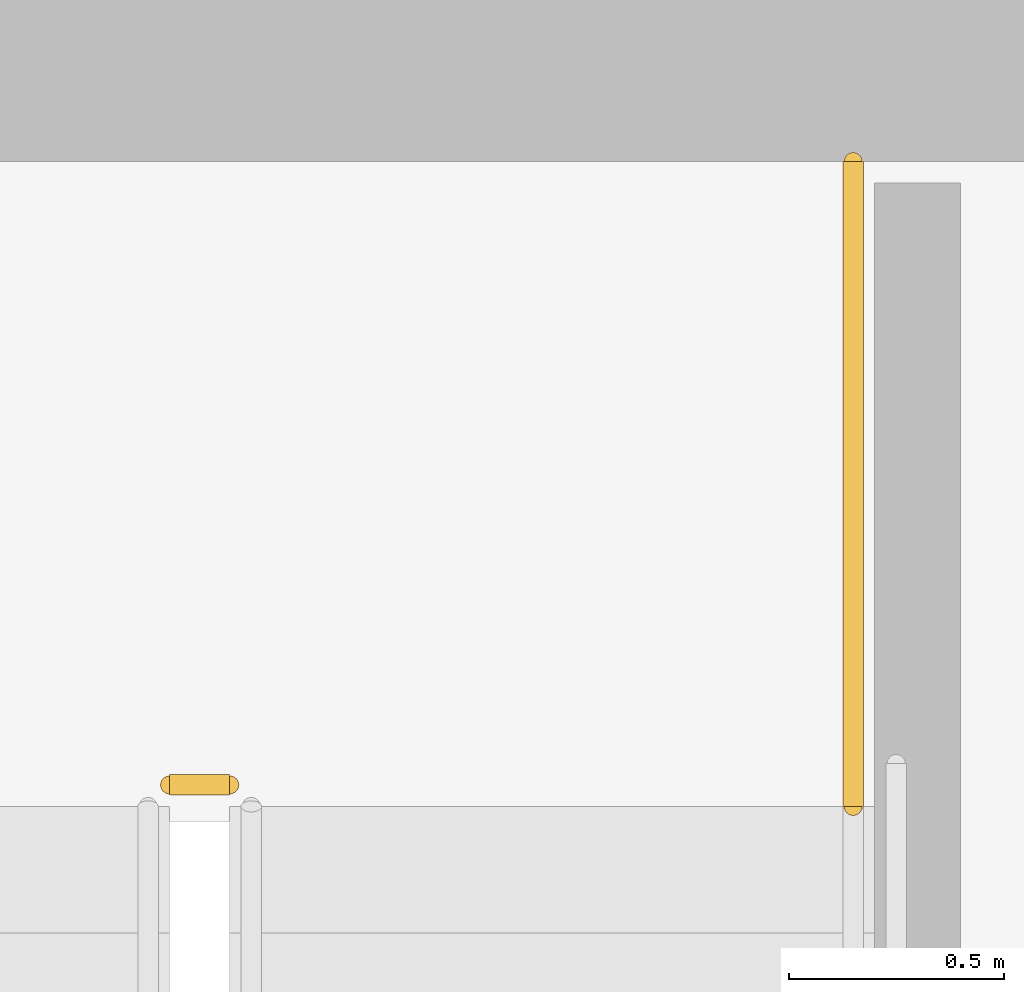
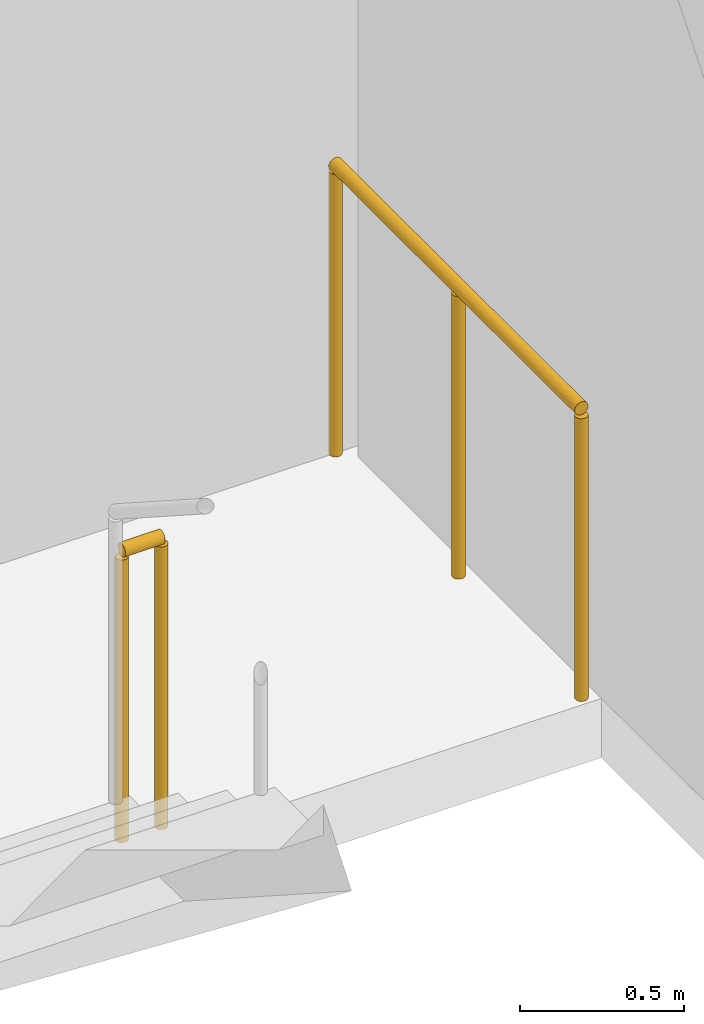
# One storey, part 31 of 32: 2 railings.
"""IFC4 building model written with IfcOpenShell, lengths in metres."""

from ifc_helpers import new_model, si_unit, direction, frame, origin, origin_2d, place, context, subcontext, project, spatial, circle, extrude, material, layer, layer_set, type_object, element, save


model = new_model("IFC4")

# Units and contexts
model_context = context("Model", 3, precision=1e-05, world=origin(), true_north=direction((0.0, 1.0)))
body_context = subcontext(model_context, "Body", "Model", "MODEL_VIEW")
ifc_project = project(units=[si_unit("LENGTHUNIT", "METRE"), si_unit("AREAUNIT", "SQUARE_METRE"), si_unit("VOLUMEUNIT", "CUBIC_METRE"), si_unit("PLANEANGLEUNIT", "RADIAN"), si_unit("MASSUNIT", "GRAM", prefix="KILO")], contexts=[model_context])

# Site, building, storey
site_placement = place(None, origin())
site = spatial("IfcSite", under=ifc_project, at=site_placement, CompositionType="ELEMENT")
building_placement = place(site_placement, origin())
building = spatial("IfcBuilding", under=site, at=building_placement, Name="Ndaravel Arena Tower", CompositionType="ELEMENT")
storey_placement = place(building_placement, frame((0.0, 0.0, 130.800048828125)))
storey = spatial("IfcBuildingStorey", under=building, at=storey_placement, Name="L30", CompositionType="ELEMENT", Elevation=130.800048828125)

# Railings
ifc_material = material(Name="Steel S355", Category="steel")
ifc_layer = layer(ifc_material, 0.06005859375)
ifc_layer_set = layer_set([ifc_layer], Name="Steel S355")
railing_type = type_object("IfcRailingType", Name="RAIL-STAIR-GD1100", PredefinedType="GUARDRAIL", material=ifc_layer_set)
railing_1_placement = place(storey_placement, frame((55.10009765625, 13.300048828125, 0.0)))
element("IfcRailing", 1, at=railing_1_placement, inside=storey, type_object=railing_type, Name="L30 ST-3 stair guard 4", PredefinedType="GUARDRAIL", context=body_context, shape_type="SweptSolid", body=[
    extrude(circle(Radius=0.02392578125, at=origin_2d()), frame((0.0, 0.0, 1.076171875), z_axis=(1.0, 0.0, 0.0), x_axis=(0.0, 1.0, 0.0)), (0.0, 0.0, 1.0), 0.139892578125),
    extrude(circle(Radius=0.02099609375, at=origin_2d()), origin(), (0.0, 0.0, 1.0), 1.052001953125),
    extrude(circle(Radius=0.02099609375, at=origin_2d()), frame((0.139892578125, 0.0, 0.0)), (0.0, 0.0, 1.0), 1.052001953125),
])
railing_2_placement = place(storey_placement, frame((56.68994140625, 14.75, 0.0)))
element("IfcRailing", 2, at=railing_2_placement, inside=storey, type_object=railing_type, Name="L30 ST-3 stair guard 5", PredefinedType="GUARDRAIL", context=body_context, shape_type="SweptSolid", body=[
    extrude(circle(Radius=0.02392578125, at=origin_2d()), frame((0.0, 0.0, 1.076171875), z_axis=(0.0, -1.0, 0.0), x_axis=(1.0, 0.0, 0.0)), (0.0, 0.0, 1.0), 1.5),
    extrude(circle(Radius=0.02099609375, at=origin_2d()), origin(), (0.0, 0.0, 1.0), 1.052001953125),
    extrude(circle(Radius=0.02099609375, at=origin_2d()), frame((0.0, -0.75, 0.0)), (0.0, 0.0, 1.0), 1.052001953125),
    extrude(circle(Radius=0.02099609375, at=origin_2d()), frame((0.0, -1.5, 0.0)), (0.0, 0.0, 1.0), 1.052001953125),
])

save(model, "model.ifc")
